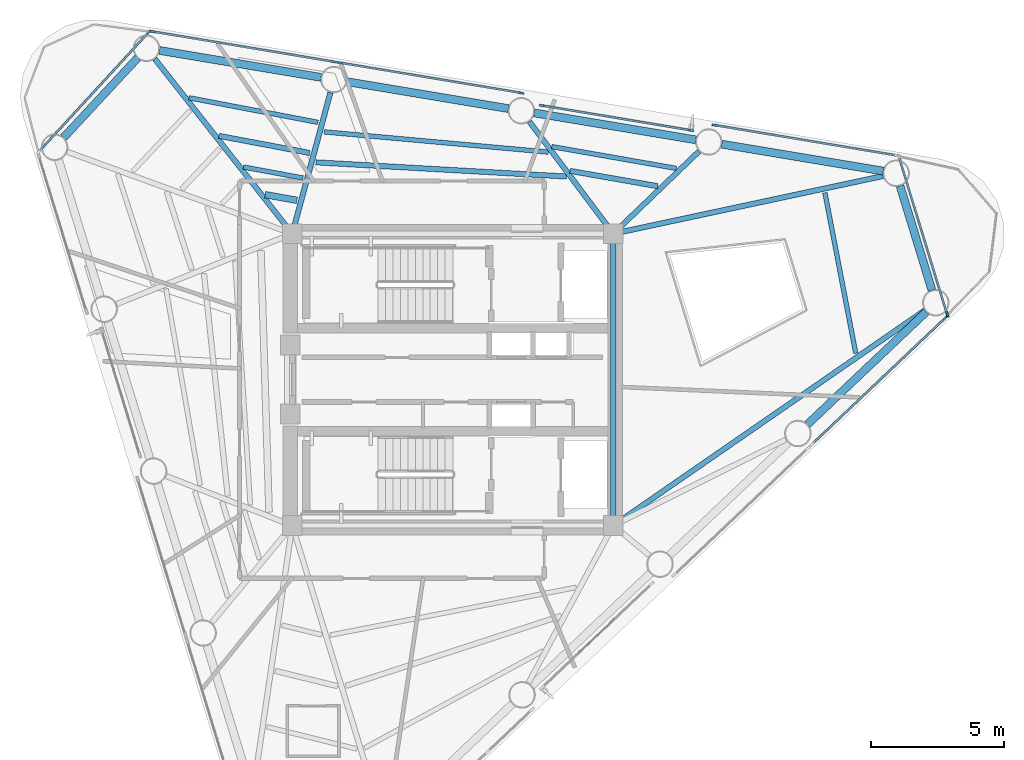
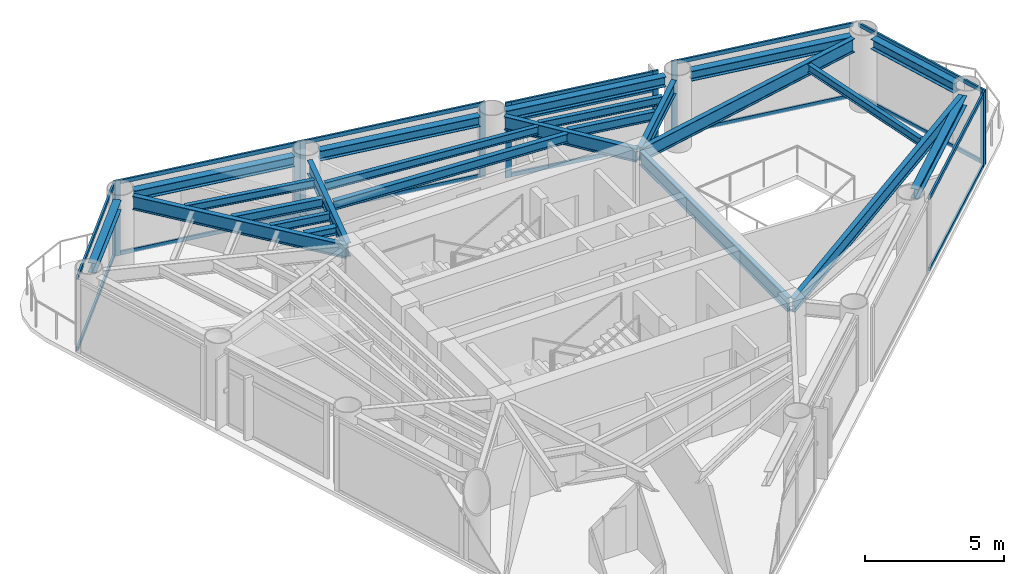
# One storey, part 3 of 9: 25 members, 23 beams, 7 elements without a shape of their own.
"""IFC4 building model written with IfcOpenShell, lengths in metres."""

from ifc_helpers import new_model, si_unit, direction, frame, origin, origin_2d, place, context, subcontext, project, spatial, rectangle, i_section, extrude, source, transform, mapped, material, layer, layer_set, material_profile, profile_set, type_object, element, aggregate, save


model = new_model("IFC4")

# Units and contexts
model_context = context("Model", 3, precision=1e-05, world=origin(), true_north=direction((0.0, 1.0)))
body_context = subcontext(model_context, "Body", "Model", "MODEL_VIEW")
ifc_project = project(units=[si_unit("LENGTHUNIT", "METRE"), si_unit("AREAUNIT", "SQUARE_METRE"), si_unit("VOLUMEUNIT", "CUBIC_METRE"), si_unit("PLANEANGLEUNIT", "RADIAN"), si_unit("MASSUNIT", "GRAM", prefix="KILO")], contexts=[model_context])

# Site, building, storey
site_placement = place(None, origin())
site = spatial("IfcSite", under=ifc_project, at=site_placement, CompositionType="ELEMENT")
building_placement = place(site_placement, origin())
building = spatial("IfcBuilding", under=site, at=building_placement, Name="Yunling Apex Tower", CompositionType="ELEMENT")
storey_placement = place(building_placement, frame((0.0, 0.0, 228.64990234375)))
storey = spatial("IfcBuildingStorey", under=building, at=storey_placement, Name="L55", CompositionType="ELEMENT", Elevation=228.64990234375)

# Beams
ifc_material_1 = material(Name="Steel Q355B", Category="steel")
ifc_material_profile_1 = material_profile(ifc_material_1, i_section(OverallWidth=0.199951171875, OverallDepth=0.60009765625, WebThickness=0.010986328125, FlangeThickness=0.01708984375, FilletRadius=0.02197265625, at=origin_2d()))
ifc_profile_set_1 = profile_set([ifc_material_profile_1], Name="Steel Q355B")
beam_type_1 = type_object("IfcBeamType", Name="BG-PRI-5", PredefinedType="USERDEFINED", material=ifc_profile_set_1)
shared_shape_1 = source(origin(), body_context, "Body", "SweptSolid", [
    extrude(i_section(OverallWidth=0.199951171875, OverallDepth=0.60009765625, WebThickness=0.010986328125, FlangeThickness=0.01708984375, FilletRadius=0.02197265625, at=origin_2d()), origin(), (0.0, 0.0, 1.0), 10.7001953125),
])
beam_1_placement = place(storey_placement, frame((6.050048828125, -5.35009765625, 2.920166015625), z_axis=(0.0, 1.0, 0.0), x_axis=(-1.0, 0.0, 0.0)))
element("IfcBeam", 1, at=beam_1_placement, inside=storey, type_object=beam_type_1, Name="L55 Core Ring Tie Beam 2", ObjectType="GIRDER", PredefinedType="USERDEFINED", context=body_context, shape_type="MappedRepresentation", body=[
    mapped(shared_shape_1, transform((0.0, 0.0, 0.0), scale=1.0)),
])
ifc_material_profile_2 = material_profile(ifc_material_1, i_section(OverallWidth=0.175048828125, OverallDepth=0.35009765625, WebThickness=0.007080078125, FlangeThickness=0.010986328125, FilletRadius=0.013916015625, at=origin_2d()))
ifc_profile_set_2 = profile_set([ifc_material_profile_2], Name="Steel Q355B")
beam_type_2 = type_object("IfcBeamType", Name="BJ-JST-1", PredefinedType="JOIST", material=ifc_profile_set_2)
shared_shape_2 = source(origin(), body_context, "Body", "SweptSolid", [
    extrude(i_section(OverallWidth=0.175048828125, OverallDepth=0.35009765625, WebThickness=0.007080078125, FlangeThickness=0.010986328125, FilletRadius=0.013916015625, at=origin_2d()), origin(), (0.0, 0.0, 1.0), 4.765869140625),
])
beam_2_placement = place(storey_placement, frame((8.42578125, 7.96142578125, 3.045166015625), z_axis=(-0.985022420296, 0.17242630749, 0.0), x_axis=(-0.17242630749, -0.985022420296, 0.0)))
element("IfcBeam", 2, at=beam_2_placement, inside=storey, type_object=beam_type_2, Name="L55 Composite Floor Joist BJ1-7", PredefinedType="JOIST", context=body_context, shape_type="MappedRepresentation", body=[
    mapped(shared_shape_2, transform((0.0, 0.0, 0.0), scale=1.0)),
])
ifc_material_profile_3 = material_profile(ifc_material_1, i_section(OverallWidth=0.300048828125, OverallDepth=0.43994140625, WebThickness=0.010986328125, FlangeThickness=0.01806640625, FilletRadius=0.02197265625, at=origin_2d()))
ifc_profile_set_3 = profile_set([ifc_material_profile_3], Name="Steel Q355B")
beam_type_3 = type_object("IfcBeamType", Name="BP-SPN-3", PredefinedType="SPANDREL", material=ifc_profile_set_3)
shared_shape_3 = source(origin(), body_context, "Body", "SweptSolid", [
    extrude(i_section(OverallWidth=0.300048828125, OverallDepth=0.43994140625, WebThickness=0.010986328125, FlangeThickness=0.01806640625, FilletRadius=0.02197265625, at=origin_2d()), origin(), (0.0, 0.0, 1.0), 6.17333984375),
])
for number, where, z_axis, x_axis, name in (
    (3, (13.36572265625, -1.690185546875, 3.0), (0.725853952128, 0.687848849807, 0.0), (-0.687848849807, 0.725853952128, 0.0), "L55 Perimeter Spandrel Beam 4"),
    (4, (16.224853515625, 7.860595703125, 3.0), (-0.986400336233, 0.164360508275, 0.0), (-0.164360508275, -0.986400336233, 0.0), "L55 Perimeter Spandrel Beam 6"),
    (5, (9.160888671875, 9.03759765625, 3.0), (-0.986400336233, 0.164360508275, 0.0), (-0.164360508275, -0.986400336233, 0.0), "L55 Perimeter Spandrel Beam 7"),
    (6, (2.096923828125, 10.214599609375, 3.0), (-0.986393923832, 0.164398987305, 0.0), (-0.164398987305, -0.986393923832, 0.0), "L55 Perimeter Spandrel Beam 8"),
    (7, (-4.967041015625, 11.391845703125, 3.0), (-0.986400336233, 0.164360508275, 0.0), (-0.164360508275, -0.986400336233, 0.0), "L55 Perimeter Spandrel Beam 9"),
):
    element("IfcBeam", number, at=place(storey_placement, frame(where, z_axis=z_axis, x_axis=x_axis)), inside=storey, type_object=beam_type_3, Name=name, PredefinedType="SPANDREL", context=body_context, shape_type="MappedRepresentation", body=[
        mapped(shared_shape_3, transform((0.0, 0.0, 0.0), scale=1.0)),
    ])
shared_shape_4 = source(origin(), body_context, "Body", "SweptSolid", [
    extrude(i_section(OverallWidth=0.300048828125, OverallDepth=0.43994140625, WebThickness=0.010986328125, FlangeThickness=0.01806640625, FilletRadius=0.02197265625, at=origin_2d()), origin(), (0.0, 0.0, 1.0), 4.118408203125),
])
beam_3_placement = place(storey_placement, frame((18.060791015625, 3.368408203125, 3.0), z_axis=(-0.292369137572, 0.956305540816, 0.0), x_axis=(-0.956305540816, -0.292369137572, 0.0)))
element("IfcBeam", 8, at=beam_3_placement, inside=storey, type_object=beam_type_3, Name="L55 Perimeter Spandrel Beam 5", PredefinedType="SPANDREL", context=body_context, shape_type="MappedRepresentation", body=[
    mapped(shared_shape_4, transform((0.0, 0.0, 0.0), scale=1.0)),
])
shared_shape_5 = source(origin(), body_context, "Body", "SweptSolid", [
    extrude(i_section(OverallWidth=0.300048828125, OverallDepth=0.43994140625, WebThickness=0.010986328125, FlangeThickness=0.01806640625, FilletRadius=0.02197265625, at=origin_2d()), origin(), (0.0, 0.0, 1.0), 4.1015625),
])
beam_4_placement = place(storey_placement, frame((-11.8798828125, 12.125732421875, 3.0), z_axis=(-0.680585789197, -0.732668399443, 0.0), x_axis=(0.732668399443, -0.680585789197, 0.0)))
element("IfcBeam", 9, at=beam_4_placement, inside=storey, type_object=beam_type_3, Name="L55 Perimeter Spandrel Beam 10", PredefinedType="SPANDREL", context=body_context, shape_type="MappedRepresentation", body=[
    mapped(shared_shape_5, transform((0.0, 0.0, 0.0), scale=1.0)),
])
shared_shape_6 = source(origin(), body_context, "Body", "SweptSolid", [
    extrude(i_section(OverallWidth=0.199951171875, OverallDepth=0.60009765625, WebThickness=0.010986328125, FlangeThickness=0.01708984375, FilletRadius=0.02197265625, at=origin_2d()), origin(), (0.0, 0.0, 1.0), 14.18505859375),
])
beam_5_placement = place(storey_placement, frame((17.787353515625, 2.607177734375, 2.920166015625), z_axis=(-0.822805113414, -0.568323627294, 0.0), x_axis=(0.568323627294, -0.822805113414, 0.0)))
element("IfcBeam", 10, at=beam_5_placement, inside=storey, type_object=beam_type_1, Name="L55 Radial Primary Girder R05", ObjectType="GIRDER", PredefinedType="USERDEFINED", context=body_context, shape_type="MappedRepresentation", body=[
    mapped(shared_shape_6, transform((0.0, 0.0, 0.0), scale=1.0)),
])
shared_shape_7 = source(origin(), body_context, "Body", "SweptSolid", [
    extrude(i_section(OverallWidth=0.199951171875, OverallDepth=0.60009765625, WebThickness=0.010986328125, FlangeThickness=0.01708984375, FilletRadius=0.02197265625, at=origin_2d()), origin(), (0.0, 0.0, 1.0), 10.315185546875),
])
beam_6_placement = place(storey_placement, frame((16.21533203125, 7.673095703125, 2.920166015625), z_axis=(-0.977902402009, -0.209061933755, 0.0), x_axis=(0.209061933755, -0.977902402009, 0.0)))
element("IfcBeam", 11, at=beam_6_placement, inside=storey, type_object=beam_type_1, Name="L55 Radial Primary Girder R06", ObjectType="GIRDER", PredefinedType="USERDEFINED", context=body_context, shape_type="MappedRepresentation", body=[
    mapped(shared_shape_7, transform((0.0, 0.0, 0.0), scale=1.0)),
])
shared_shape_8 = source(origin(), body_context, "Body", "SweptSolid", [
    extrude(i_section(OverallWidth=0.199951171875, OverallDepth=0.60009765625, WebThickness=0.010986328125, FlangeThickness=0.01708984375, FilletRadius=0.02197265625, at=origin_2d()), origin(), (0.0, 0.0, 1.0), 4.4013671875),
])
beam_7_placement = place(storey_placement, frame((9.28173828125, 8.6044921875, 2.920166015625), z_axis=(-0.721164480273, -0.69276387925, 0.0), x_axis=(0.69276387925, -0.721164480273, 0.0)))
element("IfcBeam", 12, at=beam_7_placement, inside=storey, type_object=beam_type_1, Name="L55 Radial Primary Girder R07", ObjectType="GIRDER", PredefinedType="USERDEFINED", context=body_context, shape_type="MappedRepresentation", body=[
    mapped(shared_shape_8, transform((0.0, 0.0, 0.0), scale=1.0)),
])
shared_shape_9 = source(origin(), body_context, "Body", "SweptSolid", [
    extrude(i_section(OverallWidth=0.199951171875, OverallDepth=0.60009765625, WebThickness=0.010986328125, FlangeThickness=0.01708984375, FilletRadius=0.02197265625, at=origin_2d()), origin(), (0.0, 0.0, 1.0), 5.1982421875),
])
beam_8_placement = place(storey_placement, frame((2.888427734375, 9.726806640625, 2.920166015625), z_axis=(0.598992593476, -0.800754564746, 0.0), x_axis=(0.800754564746, 0.598992593476, 0.0)))
element("IfcBeam", 13, at=beam_8_placement, inside=storey, type_object=beam_type_1, Name="L55 Radial Primary Girder R08", ObjectType="GIRDER", PredefinedType="USERDEFINED", context=body_context, shape_type="MappedRepresentation", body=[
    mapped(shared_shape_9, transform((0.0, 0.0, 0.0), scale=1.0)),
])
shared_shape_10 = source(origin(), body_context, "Body", "SweptSolid", [
    extrude(i_section(OverallWidth=0.199951171875, OverallDepth=0.60009765625, WebThickness=0.010986328125, FlangeThickness=0.01708984375, FilletRadius=0.02197265625, at=origin_2d()), origin(), (0.0, 0.0, 1.0), 5.43115234375),
])
beam_9_placement = place(storey_placement, frame((-4.6123046875, 10.8203125, 2.920166015625), z_axis=(-0.26085354679, -0.965378385467, 0.0), x_axis=(0.965378385467, -0.26085354679, 0.0)))
element("IfcBeam", 14, at=beam_9_placement, inside=storey, type_object=beam_type_1, Name="L55 Radial Primary Girder R09", ObjectType="GIRDER", PredefinedType="USERDEFINED", context=body_context, shape_type="MappedRepresentation", body=[
    mapped(shared_shape_10, transform((0.0, 0.0, 0.0), scale=1.0)),
])
shared_shape_11 = source(origin(), body_context, "Body", "SweptSolid", [
    extrude(i_section(OverallWidth=0.199951171875, OverallDepth=0.60009765625, WebThickness=0.010986328125, FlangeThickness=0.01708984375, FilletRadius=0.02197265625, at=origin_2d()), origin(), (0.0, 0.0, 1.0), 8.300537109375),
])
beam_10_placement = place(storey_placement, frame((-11.229736328125, 12.088134765625, 2.920166015625), z_axis=(0.618080016926, -0.786115190463, 0.0), x_axis=(0.786115190463, 0.618080016926, 0.0)))
element("IfcBeam", 15, at=beam_10_placement, inside=storey, type_object=beam_type_1, Name="L55 Radial Primary Girder R10", ObjectType="GIRDER", PredefinedType="USERDEFINED", context=body_context, shape_type="MappedRepresentation", body=[
    mapped(shared_shape_11, transform((0.0, 0.0, 0.0), scale=1.0)),
])
shared_shape_12 = source(origin(), body_context, "Body", "SweptSolid", [
    extrude(i_section(OverallWidth=0.175048828125, OverallDepth=0.35009765625, WebThickness=0.007080078125, FlangeThickness=0.010986328125, FilletRadius=0.013916015625, at=origin_2d()), origin(), (0.0, 0.0, 1.0), 6.16162109375),
])
beam_11_placement = place(storey_placement, frame((15.189453125, 0.99072265625, 3.045166015625), z_axis=(-0.188765094227, 0.982022270217, 0.0), x_axis=(-0.982022270217, -0.188765094227, 0.0)))
element("IfcBeam", 16, at=beam_11_placement, inside=storey, type_object=beam_type_2, Name="L55 Composite Floor Joist BJ1-5", PredefinedType="JOIST", context=body_context, shape_type="MappedRepresentation", body=[
    mapped(shared_shape_12, transform((0.0, 0.0, 0.0), scale=1.0)),
])
ifc_material_profile_4 = material_profile(ifc_material_1, i_section(OverallWidth=0.199951171875, OverallDepth=0.39990234375, WebThickness=0.008056640625, FlangeThickness=0.012939453125, FilletRadius=0.01611328125, at=origin_2d()))
ifc_profile_set_4 = profile_set([ifc_material_profile_4], Name="Steel Q355B")
beam_type_4 = type_object("IfcBeamType", Name="BS-SEC-4", PredefinedType="BEAM", material=ifc_profile_set_4)
shared_shape_13 = source(origin(), body_context, "Body", "SweptSolid", [
    extrude(i_section(OverallWidth=0.199951171875, OverallDepth=0.39990234375, WebThickness=0.008056640625, FlangeThickness=0.012939453125, FilletRadius=0.01611328125, at=origin_2d()), origin(), (0.0, 0.0, 1.0), 3.361572265625),
])
beam_12_placement = place(storey_placement, frame((7.7275390625, 7.290283203125, 3.02001953125), z_axis=(-0.985137567958, 0.171767203496, 0.0), x_axis=(-0.171767203496, -0.985137567958, 0.0)))
element("IfcBeam", 17, at=beam_12_placement, inside=storey, type_object=beam_type_4, Name="L55 Composite Floor Beam BS-7", PredefinedType="BEAM", context=body_context, shape_type="MappedRepresentation", body=[
    mapped(shared_shape_13, transform((0.0, 0.0, 0.0), scale=1.0)),
])
shared_shape_14 = source(origin(), body_context, "Body", "SweptSolid", [
    extrude(i_section(OverallWidth=0.199951171875, OverallDepth=0.39990234375, WebThickness=0.008056640625, FlangeThickness=0.012939453125, FilletRadius=0.01611328125, at=origin_2d()), origin(), (0.0, 0.0, 1.0), 9.461669921875),
])
beam_13_placement = place(storey_placement, frame((4.28564453125, 7.654541015625, 3.02001953125), z_axis=(-0.998399180074, 0.05656038567, 0.0), x_axis=(-0.05656038567, -0.998399180074, 0.0)))
element("IfcBeam", 18, at=beam_13_placement, inside=storey, type_object=beam_type_4, Name="L55 Composite Floor Beam BS-8", PredefinedType="BEAM", context=body_context, shape_type="MappedRepresentation", body=[
    mapped(shared_shape_14, transform((0.0, 0.0, 0.0), scale=1.0)),
])
shared_shape_15 = source(origin(), body_context, "Body", "SweptSolid", [
    extrude(i_section(OverallWidth=0.175048828125, OverallDepth=0.35009765625, WebThickness=0.007080078125, FlangeThickness=0.010986328125, FilletRadius=0.013916015625, at=origin_2d()), origin(), (0.0, 0.0, 1.0), 8.485107421875),
])
beam_14_placement = place(storey_placement, frame((3.60107421875, 8.575439453125, 3.045166015625), z_axis=(-0.995954531999, 0.089858612221, 0.0), x_axis=(-0.089858612221, -0.995954531999, 0.0)))
element("IfcBeam", 19, at=beam_14_placement, inside=storey, type_object=beam_type_2, Name="L55 Composite Floor Joist BJ1-8", PredefinedType="JOIST", context=body_context, shape_type="MappedRepresentation", body=[
    mapped(shared_shape_15, transform((0.0, 0.0, 0.0), scale=1.0)),
])
shared_shape_16 = source(origin(), body_context, "Body", "SweptSolid", [
    extrude(i_section(OverallWidth=0.199951171875, OverallDepth=0.39990234375, WebThickness=0.008056640625, FlangeThickness=0.012939453125, FilletRadius=0.01611328125, at=origin_2d()), origin(), (0.0, 0.0, 1.0), 3.482421875),
])
beam_15_placement = place(storey_placement, frame((-5.392822265625, 8.54296875, 3.02001953125), z_axis=(-0.98272425545, 0.185075762191, 0.0), x_axis=(-0.185075762191, -0.98272425545, 0.0)))
element("IfcBeam", 20, at=beam_15_placement, inside=storey, type_object=beam_type_4, Name="L55 Composite Floor Beam BS-9", PredefinedType="BEAM", context=body_context, shape_type="MappedRepresentation", body=[
    mapped(shared_shape_16, transform((0.0, 0.0, 0.0), scale=1.0)),
])
shared_shape_17 = source(origin(), body_context, "Body", "SweptSolid", [
    extrude(i_section(OverallWidth=0.175048828125, OverallDepth=0.35009765625, WebThickness=0.007080078125, FlangeThickness=0.010986328125, FilletRadius=0.013916015625, at=origin_2d()), origin(), (0.0, 0.0, 1.0), 4.949951171875),
])
beam_16_placement = place(storey_placement, frame((-5.081298828125, 9.69677734375, 3.045166015625), z_axis=(-0.982345041362, 0.187078111256, 0.0), x_axis=(-0.187078111256, -0.982345041362, 0.0)))
element("IfcBeam", 21, at=beam_16_placement, inside=storey, type_object=beam_type_2, Name="L55 Composite Floor Joist BJ1-9", PredefinedType="JOIST", context=body_context, shape_type="MappedRepresentation", body=[
    mapped(shared_shape_17, transform((0.0, 0.0, 0.0), scale=1.0)),
])
shared_shape_18 = source(origin(), body_context, "Body", "SweptSolid", [
    extrude(i_section(OverallWidth=0.175048828125, OverallDepth=0.35009765625, WebThickness=0.007080078125, FlangeThickness=0.010986328125, FilletRadius=0.013916015625, at=origin_2d()), origin(), (0.0, 0.0, 1.0), 2.28173828125),
])
beam_17_placement = place(storey_placement, frame((-5.64794921875, 7.5986328125, 3.045166015625), z_axis=(-0.983336596367, 0.181794219503, 0.0), x_axis=(-0.181794219503, -0.983336596367, 0.0)))
element("IfcBeam", 22, at=beam_17_placement, inside=storey, type_object=beam_type_2, Name="L55 Composite Floor Joist BJ3-9", PredefinedType="JOIST", context=body_context, shape_type="MappedRepresentation", body=[
    mapped(shared_shape_18, transform((0.0, 0.0, 0.0), scale=1.0)),
])
ifc_material_profile_5 = material_profile(ifc_material_1, i_section(OverallWidth=0.25, OverallDepth=0.340087890625, WebThickness=0.009033203125, FlangeThickness=0.013916015625, FilletRadius=0.01806640625, at=origin_2d()))
ifc_profile_set_5 = profile_set([ifc_material_profile_5], Name="Steel Q355B")
beam_type_5 = type_object("IfcBeamType", Name="BJ-JST-2", PredefinedType="JOIST", material=ifc_profile_set_5)
shared_shape_19 = source(origin(), body_context, "Body", "SweptSolid", [
    extrude(i_section(OverallWidth=0.25, OverallDepth=0.340087890625, WebThickness=0.009033203125, FlangeThickness=0.013916015625, FilletRadius=0.01806640625, at=origin_2d()), origin(), (0.0, 0.0, 1.0), 1.214111328125),
])
beam_18_placement = place(storey_placement, frame((-5.875, 6.758544921875, 3.050048828125), z_axis=(-0.98465170233, 0.174530871477, 0.0), x_axis=(-0.174530871477, -0.98465170233, 0.0)))
element("IfcBeam", 23, at=beam_18_placement, inside=storey, type_object=beam_type_5, Name="L55 Composite Floor Joist BJ2-9", PredefinedType="JOIST", context=body_context, shape_type="MappedRepresentation", body=[
    mapped(shared_shape_19, transform((0.0, 0.0, 0.0), scale=1.0)),
])

# Curtain wall, member
ifc_material_2 = material(Name="Bronze anodised aluminium", Category="aluminium")
ifc_layer = layer(ifc_material_2, 0.219970703125)
ifc_layer_set = layer_set([ifc_layer], Name="Bronze anodised aluminium")
curtain_wall_type = type_object("IfcCurtainWallType", Name="CW-SYS-4", PredefinedType="NOTDEFINED", material=ifc_layer_set)
curtain_wall_1_placement = place(storey_placement, origin())
curtain_wall_1 = element("IfcCurtainWall", 24, at=curtain_wall_1_placement, inside=storey, type_object=curtain_wall_type, Name="CW-L55-F1-B4", PredefinedType="NOTDEFINED")
ifc_material_profile_6 = material_profile(ifc_material_2, rectangle(XDim=0.080078125, YDim=0.219970703125, at=origin_2d()))
ifc_profile_set_6 = profile_set([ifc_material_profile_6], Name="Bronze anodised aluminium")
member_type_1 = type_object("IfcMemberType", Name="CW-MUL-4", PredefinedType="MULLION", material=ifc_profile_set_6)
shared_shape_20 = source(origin(), body_context, "Body", "SweptSolid", [
    extrude(rectangle(XDim=0.080078125, YDim=0.219970703125, at=origin_2d()), origin(), (0.0, 0.0, 1.0), 3.31982421875),
])
member_1_placement = place(storey_placement, frame((18.572265625, 2.334228515625, -0.0498046875), z_axis=(0.0, 0.0, 1.0), x_axis=(-0.687848040467, 0.72585471909, 0.0)))
member_1 = element("IfcMember", 25, at=member_1_placement, type_object=member_type_1, Name="CW-SYS-4 mullion 2", PredefinedType="MULLION", context=body_context, shape_type="MappedRepresentation", body=[
    mapped(shared_shape_20, transform((0.0, 0.0, 0.0), scale=1.0)),
])

curtain_wall_2_placement = place(storey_placement, origin())
curtain_wall_2 = element("IfcCurtainWall", 26, at=curtain_wall_2_placement, inside=storey, type_object=curtain_wall_type, Name="CW-L55-CRN1", PredefinedType="NOTDEFINED")
member_2_placement = place(storey_placement, frame((18.6337890625, 2.469482421875, -0.0498046875), z_axis=(0.0, 0.0, 1.0), x_axis=(-0.956305498685, -0.292369275379, 0.0)))
member_2 = element("IfcMember", 27, at=member_2_placement, type_object=member_type_1, Name="CW-SYS-4 mullion 1", PredefinedType="MULLION", context=body_context, shape_type="MappedRepresentation", body=[
    mapped(shared_shape_20, transform((0.0, 0.0, 0.0), scale=1.0)),
])

curtain_wall_3_placement = place(storey_placement, origin())
curtain_wall_3 = element("IfcCurtainWall", 28, at=curtain_wall_3_placement, inside=storey, type_object=curtain_wall_type, Name="CW-L55-F2-B1", PredefinedType="NOTDEFINED")
member_3_placement = place(storey_placement, frame((9.875, 9.587890625, -0.0498046875), z_axis=(0.0, 0.0, 1.0), x_axis=(-0.164352664392, -0.9864016432, 0.0)))
member_3 = element("IfcMember", 29, at=member_3_placement, type_object=member_type_1, Name="CW-SYS-4 mullion 2", PredefinedType="MULLION", context=body_context, shape_type="MappedRepresentation", body=[
    mapped(shared_shape_20, transform((0.0, 0.0, 0.0), scale=1.0)),
])

# Curtain wall, members
curtain_wall_4_placement = place(storey_placement, origin())
curtain_wall_4 = element("IfcCurtainWall", 30, at=curtain_wall_4_placement, inside=storey, type_object=curtain_wall_type, Name="CW-L55-F2-B2", PredefinedType="NOTDEFINED")
member_4_placement = place(storey_placement, frame((8.970947265625, 9.393798828125, -0.0498046875), z_axis=(0.0, 0.0, 1.0), x_axis=(-0.164370840747, -0.986398614513, 0.0)))
member_4 = element("IfcMember", 31, at=member_4_placement, type_object=member_type_1, Name="CW-SYS-4 mullion 1", PredefinedType="MULLION", context=body_context, shape_type="MappedRepresentation", body=[
    mapped(shared_shape_20, transform((0.0, 0.0, 0.0), scale=1.0)),
])
member_5_placement = place(storey_placement, frame((3.36669921875, 10.32763671875, -0.0498046875), z_axis=(0.0, 0.0, 1.0), x_axis=(-0.164370840747, -0.986398614513, 0.0)))
member_5 = element("IfcMember", 32, at=member_5_placement, type_object=member_type_1, Name="CW-SYS-4 mullion 2", PredefinedType="MULLION", context=body_context, shape_type="MappedRepresentation", body=[
    mapped(shared_shape_20, transform((0.0, 0.0, 0.0), scale=1.0)),
])

curtain_wall_5_placement = place(storey_placement, origin())
curtain_wall_5 = element("IfcCurtainWall", 33, at=curtain_wall_5_placement, inside=storey, type_object=curtain_wall_type, Name="CW-L55-F2-B3", PredefinedType="NOTDEFINED")
member_6_placement = place(storey_placement, frame((2.574462890625, 10.804443359375, -0.0498046875), z_axis=(0.0, 0.0, 1.0), x_axis=(-0.164352664392, -0.9864016432, 0.0)))
member_6 = element("IfcMember", 34, at=member_6_placement, type_object=member_type_1, Name="CW-SYS-4 mullion 1", PredefinedType="MULLION", context=body_context, shape_type="MappedRepresentation", body=[
    mapped(shared_shape_20, transform((0.0, 0.0, 0.0), scale=1.0)),
])
member_7_placement = place(storey_placement, frame((-4.2529296875, 11.94189453125, -0.0498046875), z_axis=(0.0, 0.0, 1.0), x_axis=(-0.164352664392, -0.9864016432, 0.0)))
member_7 = element("IfcMember", 35, at=member_7_placement, type_object=member_type_1, Name="CW-SYS-4 mullion 2", PredefinedType="MULLION", context=body_context, shape_type="MappedRepresentation", body=[
    mapped(shared_shape_20, transform((0.0, 0.0, 0.0), scale=1.0)),
])

curtain_wall_6_placement = place(storey_placement, origin())
curtain_wall_6 = element("IfcCurtainWall", 36, at=curtain_wall_6_placement, inside=storey, type_object=curtain_wall_type, Name="CW-L55-F2-B4", PredefinedType="NOTDEFINED")
member_8_placement = place(storey_placement, frame((-4.48974609375, 11.9814453125, -0.0498046875), z_axis=(0.0, 0.0, 1.0), x_axis=(-0.164352664392, -0.9864016432, 0.0)))
member_8 = element("IfcMember", 37, at=member_8_placement, type_object=member_type_1, Name="CW-SYS-4 mullion 1", PredefinedType="MULLION", context=body_context, shape_type="MappedRepresentation", body=[
    mapped(shared_shape_20, transform((0.0, 0.0, 0.0), scale=1.0)),
])
member_9_placement = place(storey_placement, frame((-11.31689453125, 13.118896484375, -0.0498046875), z_axis=(0.0, 0.0, 1.0), x_axis=(-0.164352664392, -0.9864016432, 0.0)))
member_9 = element("IfcMember", 38, at=member_9_placement, type_object=member_type_1, Name="CW-SYS-4 mullion 2", PredefinedType="MULLION", context=body_context, shape_type="MappedRepresentation", body=[
    mapped(shared_shape_20, transform((0.0, 0.0, 0.0), scale=1.0)),
])

# Curtain wall, member
curtain_wall_7_placement = place(storey_placement, origin())
curtain_wall_7 = element("IfcCurtainWall", 39, at=curtain_wall_7_placement, inside=storey, type_object=curtain_wall_type, Name="CW-L55-CRN2", PredefinedType="NOTDEFINED")
member_10_placement = place(storey_placement, frame((-11.465576171875, 13.08935546875, -0.0498046875), z_axis=(0.0, 0.0, 1.0), x_axis=(0.736133922549, -0.676835909266, 0.0)))
member_10 = element("IfcMember", 40, at=member_10_placement, type_object=member_type_1, Name="CW-SYS-4 mullion 1", PredefinedType="MULLION", context=body_context, shape_type="MappedRepresentation", body=[
    mapped(shared_shape_20, transform((0.0, 0.0, 0.0), scale=1.0)),
])

# Member
ifc_material_profile_7 = material_profile(ifc_material_2, rectangle(XDim=0.080078125, YDim=0.169921875, at=origin_2d()))
ifc_profile_set_7 = profile_set([ifc_material_profile_7], Name="Bronze anodised aluminium")
member_type_2 = type_object("IfcMemberType", Name="CW-TRN-4", PredefinedType="USERDEFINED", material=ifc_profile_set_7)
shared_shape_21 = source(origin(), body_context, "Body", "SweptSolid", [
    extrude(rectangle(XDim=0.080078125, YDim=0.169921875, at=origin_2d()), origin(), (0.0, 0.0, 1.0), 6.849365234375),
])
member_11_placement = place(storey_placement, frame((13.574462890625, -2.40185546875, 0.0400390625), z_axis=(0.725849647065, 0.687853392705, 0.0), x_axis=(-0.687853392705, 0.725849647065, 0.0)))
member_11 = element("IfcMember", 41, at=member_11_placement, type_object=member_type_2, Name="CW-SYS-4 transom 1.1", ObjectType="TRANSOM", PredefinedType="USERDEFINED", context=body_context, shape_type="MappedRepresentation", body=[
    mapped(shared_shape_21, transform((0.0, 0.0, 0.0), scale=1.0)),
])

member_12_placement = place(storey_placement, frame((13.574462890625, -2.40185546875, 3.18017578125), z_axis=(0.725849647065, 0.687853392705, 0.0), x_axis=(-0.687853392705, 0.725849647065, 0.0)))
member_12 = element("IfcMember", 42, at=member_12_placement, type_object=member_type_2, Name="CW-SYS-4 transom 1.2", ObjectType="TRANSOM", PredefinedType="USERDEFINED", context=body_context, shape_type="MappedRepresentation", body=[
    mapped(shared_shape_21, transform((0.0, 0.0, 0.0), scale=1.0)),
])

aggregate(curtain_wall_1, [member_1, member_11, member_12])

member_13_placement = place(storey_placement, frame((16.666748046875, 8.456298828125, 0.0400390625), z_axis=(-0.986400666628, 0.164358525415, 0.0), x_axis=(-0.164358525415, -0.986400666628, 0.0)))
member_13 = element("IfcMember", 43, at=member_13_placement, type_object=member_type_2, Name="CW-SYS-4 transom 1.1", ObjectType="TRANSOM", PredefinedType="USERDEFINED", context=body_context, shape_type="MappedRepresentation", body=[
    mapped(shared_shape_21, transform((0.0, 0.0, 0.0), scale=1.0)),
])

member_14_placement = place(storey_placement, frame((16.666748046875, 8.456298828125, 3.18017578125), z_axis=(-0.986400666628, 0.164358525415, 0.0), x_axis=(-0.164358525415, -0.986400666628, 0.0)))
member_14 = element("IfcMember", 44, at=member_14_placement, type_object=member_type_2, Name="CW-SYS-4 transom 1.2", ObjectType="TRANSOM", PredefinedType="USERDEFINED", context=body_context, shape_type="MappedRepresentation", body=[
    mapped(shared_shape_21, transform((0.0, 0.0, 0.0), scale=1.0)),
])

aggregate(curtain_wall_3, [member_3, member_13, member_14])

shared_shape_22 = source(origin(), body_context, "Body", "SweptSolid", [
    extrude(rectangle(XDim=0.080078125, YDim=0.169921875, at=origin_2d()), origin(), (0.0, 0.0, 1.0), 6.100830078125),
])
member_15_placement = place(storey_placement, frame((18.623291015625, 2.50390625, 0.0400390625), z_axis=(-0.292370017789, 0.956305271709, 0.0), x_axis=(-0.956305271709, -0.292370017789, 0.0)))
member_15 = element("IfcMember", 45, at=member_15_placement, type_object=member_type_2, Name="CW-SYS-4 transom 1.1", ObjectType="TRANSOM", PredefinedType="USERDEFINED", context=body_context, shape_type="MappedRepresentation", body=[
    mapped(shared_shape_22, transform((0.0, 0.0, 0.0), scale=1.0)),
])

member_16_placement = place(storey_placement, frame((18.623291015625, 2.50390625, 3.18017578125), z_axis=(-0.292370017789, 0.956305271709, 0.0), x_axis=(-0.956305271709, -0.292370017789, 0.0)))
member_16 = element("IfcMember", 46, at=member_16_placement, type_object=member_type_2, Name="CW-SYS-4 transom 1.2", ObjectType="TRANSOM", PredefinedType="USERDEFINED", context=body_context, shape_type="MappedRepresentation", body=[
    mapped(shared_shape_22, transform((0.0, 0.0, 0.0), scale=1.0)),
])

aggregate(curtain_wall_2, [member_2, member_15, member_16])

shared_shape_23 = source(origin(), body_context, "Body", "SweptSolid", [
    extrude(rectangle(XDim=0.080078125, YDim=0.169921875, at=origin_2d()), origin(), (0.0, 0.0, 1.0), 5.609375),
])
member_17_placement = place(storey_placement, frame((8.935302734375, 9.399658203125, 0.0400390625), z_axis=(-0.986395100144, 0.164391929279, 0.0), x_axis=(-0.164391929279, -0.986395100144, 0.0)))
member_17 = element("IfcMember", 47, at=member_17_placement, type_object=member_type_2, Name="CW-SYS-4 transom 1.1", ObjectType="TRANSOM", PredefinedType="USERDEFINED", context=body_context, shape_type="MappedRepresentation", body=[
    mapped(shared_shape_23, transform((0.0, 0.0, 0.0), scale=1.0)),
])

member_18_placement = place(storey_placement, frame((8.935302734375, 9.399658203125, 2.447265625), z_axis=(-0.986395100144, 0.164391929279, 0.0), x_axis=(-0.164391929279, -0.986395100144, 0.0)))
member_18 = element("IfcMember", 48, at=member_18_placement, type_object=member_type_2, Name="CW-SYS-4 transom 1.2", ObjectType="TRANSOM", PredefinedType="USERDEFINED", context=body_context, shape_type="MappedRepresentation", body=[
    mapped(shared_shape_23, transform((0.0, 0.0, 0.0), scale=1.0)),
])

member_19_placement = place(storey_placement, frame((8.935302734375, 9.399658203125, 3.18017578125), z_axis=(-0.986395100144, 0.164391929279, 0.0), x_axis=(-0.164391929279, -0.986395100144, 0.0)))
member_19 = element("IfcMember", 49, at=member_19_placement, type_object=member_type_2, Name="CW-SYS-4 transom 1.3", ObjectType="TRANSOM", PredefinedType="USERDEFINED", context=body_context, shape_type="MappedRepresentation", body=[
    mapped(shared_shape_23, transform((0.0, 0.0, 0.0), scale=1.0)),
])

aggregate(curtain_wall_4, [member_4, member_5, member_17, member_18, member_19])

shared_shape_24 = source(origin(), body_context, "Body", "SweptSolid", [
    extrude(rectangle(XDim=0.080078125, YDim=0.169921875, at=origin_2d()), origin(), (0.0, 0.0, 1.0), 6.849609375),
])
member_20_placement = place(storey_placement, frame((2.538818359375, 10.810302734375, 0.0400390625), z_axis=(-0.986401629478, 0.164352746749, 0.0), x_axis=(-0.164352746749, -0.986401629478, 0.0)))
member_20 = element("IfcMember", 50, at=member_20_placement, type_object=member_type_2, Name="CW-SYS-4 transom 1.1", ObjectType="TRANSOM", PredefinedType="USERDEFINED", context=body_context, shape_type="MappedRepresentation", body=[
    mapped(shared_shape_24, transform((0.0, 0.0, 0.0), scale=1.0)),
])

member_21_placement = place(storey_placement, frame((2.538818359375, 10.810302734375, 3.18017578125), z_axis=(-0.986401629478, 0.164352746749, 0.0), x_axis=(-0.164352746749, -0.986401629478, 0.0)))
member_21 = element("IfcMember", 51, at=member_21_placement, type_object=member_type_2, Name="CW-SYS-4 transom 1.2", ObjectType="TRANSOM", PredefinedType="USERDEFINED", context=body_context, shape_type="MappedRepresentation", body=[
    mapped(shared_shape_24, transform((0.0, 0.0, 0.0), scale=1.0)),
])

aggregate(curtain_wall_5, [member_6, member_7, member_20, member_21])

member_22_placement = place(storey_placement, frame((-4.525146484375, 11.9873046875, 0.0400390625), z_axis=(-0.986401629478, 0.164352746749, 0.0), x_axis=(-0.164352746749, -0.986401629478, 0.0)))
member_22 = element("IfcMember", 52, at=member_22_placement, type_object=member_type_2, Name="CW-SYS-4 transom 1.1", ObjectType="TRANSOM", PredefinedType="USERDEFINED", context=body_context, shape_type="MappedRepresentation", body=[
    mapped(shared_shape_24, transform((0.0, 0.0, 0.0), scale=1.0)),
])

member_23_placement = place(storey_placement, frame((-4.525146484375, 11.9873046875, 3.18017578125), z_axis=(-0.986401629478, 0.164352746749, 0.0), x_axis=(-0.164352746749, -0.986401629478, 0.0)))
member_23 = element("IfcMember", 53, at=member_23_placement, type_object=member_type_2, Name="CW-SYS-4 transom 1.2", ObjectType="TRANSOM", PredefinedType="USERDEFINED", context=body_context, shape_type="MappedRepresentation", body=[
    mapped(shared_shape_24, transform((0.0, 0.0, 0.0), scale=1.0)),
])

aggregate(curtain_wall_6, [member_8, member_9, member_22, member_23])

shared_shape_25 = source(origin(), body_context, "Body", "SweptSolid", [
    extrude(rectangle(XDim=0.080078125, YDim=0.169921875, at=origin_2d()), origin(), (0.0, 0.0, 1.0), 6.025390625),
])
member_24_placement = place(storey_placement, frame((-11.489990234375, 13.06298828125, 0.0400390625), z_axis=(-0.676824761053, -0.736144172582, 0.0), x_axis=(0.736144172582, -0.676824761053, 0.0)))
member_24 = element("IfcMember", 54, at=member_24_placement, type_object=member_type_2, Name="CW-SYS-4 transom 1.1", ObjectType="TRANSOM", PredefinedType="USERDEFINED", context=body_context, shape_type="MappedRepresentation", body=[
    mapped(shared_shape_25, transform((0.0, 0.0, 0.0), scale=1.0)),
])

member_25_placement = place(storey_placement, frame((-11.489990234375, 13.06298828125, 3.18017578125), z_axis=(-0.676824761053, -0.736144172582, 0.0), x_axis=(0.736144172582, -0.676824761053, 0.0)))
member_25 = element("IfcMember", 55, at=member_25_placement, type_object=member_type_2, Name="CW-SYS-4 transom 1.2", ObjectType="TRANSOM", PredefinedType="USERDEFINED", context=body_context, shape_type="MappedRepresentation", body=[
    mapped(shared_shape_25, transform((0.0, 0.0, 0.0), scale=1.0)),
])

aggregate(curtain_wall_7, [member_10, member_24, member_25])

save(model, "model.ifc")
